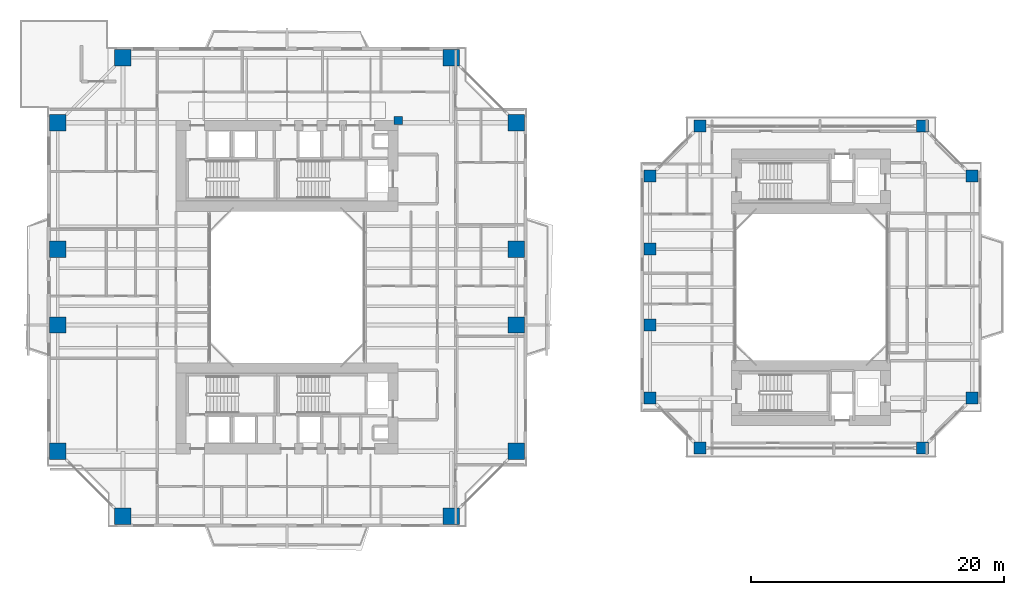
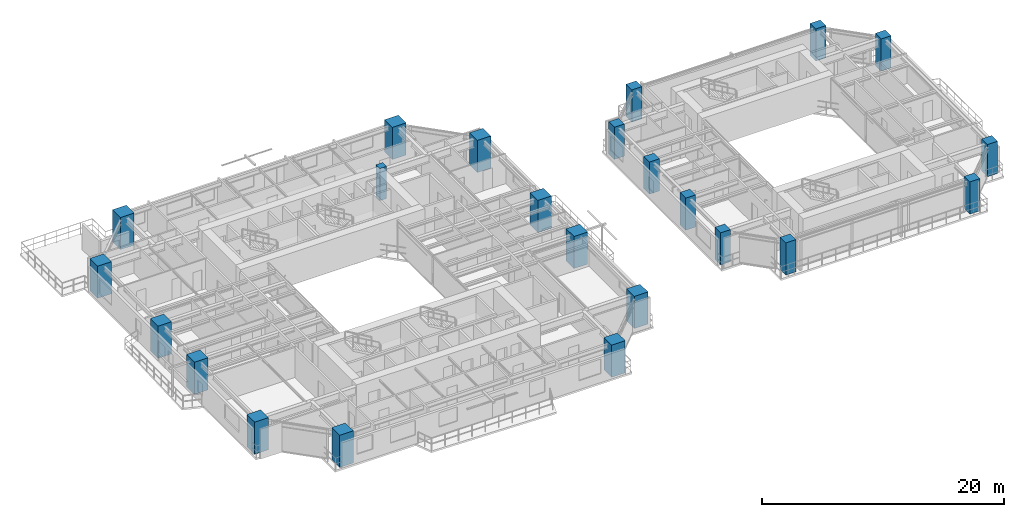
# One storey, part 1 of 24: 23 columns.
"""IFC4 building model written with IfcOpenShell, lengths in metres."""

from ifc_helpers import new_model, si_unit, direction, frame, origin, origin_2d, place, context, subcontext, project, spatial, rectangle, extrude, source, transform, mapped, material, material_profile, profile_set, type_object, element, save


model = new_model("IFC4")

# Units and contexts
model_context = context("Model", 3, precision=1e-05, world=origin(), true_north=direction((0.0, 1.0)))
body_context = subcontext(model_context, "Body", "Model", "MODEL_VIEW")
ifc_project = project(units=[si_unit("LENGTHUNIT", "METRE"), si_unit("AREAUNIT", "SQUARE_METRE"), si_unit("VOLUMEUNIT", "CUBIC_METRE"), si_unit("PLANEANGLEUNIT", "RADIAN"), si_unit("MASSUNIT", "GRAM", prefix="KILO"), si_unit("THERMODYNAMICTEMPERATUREUNIT", "KELVIN"), si_unit("POWERUNIT", "WATT")], contexts=[model_context])

# Site, building, storey
site_placement = place(None, origin())
site = spatial("IfcSite", under=ifc_project, at=site_placement, CompositionType="ELEMENT")
building_placement = place(site_placement, origin())
building = spatial("IfcBuilding", under=site, at=building_placement, Name="Qiaomeng Ring Towers", CompositionType="ELEMENT")
storey_placement = place(building_placement, frame((0.0, 0.0, 42.5)))
storey = spatial("IfcBuildingStorey", under=building, at=storey_placement, Name="L11", CompositionType="ELEMENT", Elevation=42.5)

# Columns
ifc_material_1 = material(Name="Concrete C50", Category="concrete")
ifc_material_profile_1 = material_profile(ifc_material_1, rectangle(XDim=0.64990234375, YDim=0.64990234375, at=origin_2d()), Name="RC COL 650x650")
ifc_profile_set_1 = profile_set([ifc_material_profile_1], Name="Concrete C50")
column_type_1 = type_object("IfcColumnType", Name="STR-PIL-650", PredefinedType="PILASTER", material=ifc_profile_set_1)
shared_shape_1 = source(origin(), body_context, "Body", "SweptSolid", [
    extrude(rectangle(XDim=0.64990234375, YDim=0.64990234375, at=origin_2d()), origin(), (0.0, 0.0, 1.0), 3.25),
])
column_placement = place(storey_placement, frame((27.800048828125, 36.199951171875, 0.0), z_axis=(0.0, 0.0, 1.0), x_axis=(1.0, 0.0, 0.0)))
element("IfcColumn", 1, at=column_placement, inside=storey, type_object=column_type_1, Name="L11 column STR-PIL-L11-N", PredefinedType="PILASTER", context=body_context, shape_type="MappedRepresentation", body=[
    mapped(shared_shape_1, transform((0.0, 0.0, 0.0), x_axis=(1.0, 0.0, 0.0), y_axis=(0.0, 1.0, 0.0), z_axis=(0.0, 0.0, 1.0), scale=1.0)),
])
ifc_material_2 = material(Name="Concrete C60", Category="concrete")
ifc_material_profile_2 = material_profile(ifc_material_2, rectangle(XDim=1.300048828125, YDim=1.300048828125, at=origin_2d()), Name="RC COL 1300x1300")
ifc_profile_set_2 = profile_set([ifc_material_profile_2], Name="Concrete C60")
column_type_2 = type_object("IfcColumnType", Name="STR-COL-1300", PredefinedType="COLUMN", material=ifc_profile_set_2)
shared_shape_2 = source(origin(), body_context, "Body", "SweptSolid", [
    extrude(rectangle(XDim=1.300048828125, YDim=1.300048828125, at=origin_2d()), origin(), (0.0, 0.0, 1.0), 3.25),
])
for number, where, z_axis, x_axis, name in (
    (2, (6.0, 4.85009765625, 0.0), (0.0, 0.0, 1.0), (1.0, 0.0, 0.0), "L11 column STR-COL-L11-T1-S1"),
    (3, (32.0, 4.85009765625, 0.0), (0.0, 0.0, 1.0), (1.0, 0.0, 0.0), "L11 column STR-COL-L11-T1-S2"),
    (4, (37.14990234375, 10.0, 0.0), (0.0, 0.0, 1.0), (1.0, 0.0, 0.0), "L11 column STR-COL-L11-T1-E1"),
    (5, (37.14990234375, 20.0, 0.0), (0.0, 0.0, 1.0), (1.0, 0.0, 0.0), "L11 column STR-COL-L11-T1-E2"),
    (6, (37.14990234375, 26.0, 0.0), (0.0, 0.0, 1.0), (1.0, 0.0, 0.0), "L11 column STR-COL-L11-T1-E3"),
    (7, (37.14990234375, 36.0, 0.0), (0.0, 0.0, 1.0), (1.0, 0.0, 0.0), "L11 column STR-COL-L11-T1-E4"),
    (8, (32.0, 41.14990234375, 0.0), (0.0, 0.0, 1.0), (1.0, 0.0, 0.0), "L11 column STR-COL-L11-T1-N2"),
    (9, (6.0, 41.14990234375, 0.0), (0.0, 0.0, 1.0), (1.0, 0.0, 0.0), "L11 column STR-COL-L11-T1-N1"),
    (10, (0.85009765625, 36.0, 0.0), (0.0, 0.0, 1.0), (1.0, 0.0, 0.0), "L11 column STR-COL-L11-T1-W4"),
    (11, (0.85009765625, 26.0, 0.0), (0.0, 0.0, 1.0), (1.0, 0.0, 0.0), "L11 column STR-COL-L11-T1-W3"),
    (12, (0.85009765625, 20.0, 0.0), (0.0, 0.0, 1.0), (1.0, 0.0, 0.0), "L11 column STR-COL-L11-T1-W2"),
    (13, (0.85009765625, 10.0, 0.0), (0.0, 0.0, 1.0), (1.0, 0.0, 0.0), "L11 column STR-COL-L11-T1-W1"),
):
    element("IfcColumn", number, at=place(storey_placement, frame(where, z_axis=z_axis, x_axis=x_axis)), inside=storey, type_object=column_type_2, Name=name, PredefinedType="COLUMN", context=body_context, shape_type="MappedRepresentation", body=[
        mapped(shared_shape_2, transform((0.0, 0.0, 0.0), x_axis=(1.0, 0.0, 0.0), y_axis=(0.0, 1.0, 0.0), z_axis=(0.0, 0.0, 1.0), scale=1.0)),
    ])
ifc_material_profile_3 = material_profile(ifc_material_2, rectangle(XDim=0.949951171875, YDim=0.949951171875, at=origin_2d()), Name="RC COL 950x950")
ifc_profile_set_3 = profile_set([ifc_material_profile_3], Name="Concrete C60")
column_type_3 = type_object("IfcColumnType", Name="STR-COL-950-C60", PredefinedType="COLUMN", material=ifc_profile_set_3)
shared_shape_3 = source(origin(), body_context, "Body", "SweptSolid", [
    extrude(rectangle(XDim=0.949951171875, YDim=0.949951171875, at=origin_2d()), origin(), (0.0, 0.0, 1.0), 3.25),
])
for number, where, z_axis, x_axis, name in (
    (14, (51.699951171875, 10.25, 0.0), (0.0, 0.0, 1.0), (1.0, 0.0, 0.0), "L11 column STR-COL-L11-T2-S1"),
    (15, (69.300048828125, 10.25, 0.0), (0.0, 0.0, 1.0), (1.0, 0.0, 0.0), "L11 column STR-COL-L11-T2-S2"),
    (16, (73.25, 14.199951171875, 0.0), (0.0, 0.0, 1.0), (1.0, 0.0, 0.0), "L11 column STR-COL-L11-T2-E1"),
    (17, (73.25, 31.800048828125, 0.0), (0.0, 0.0, 1.0), (1.0, 0.0, 0.0), "L11 column STR-COL-L11-T2-E2"),
    (18, (69.300048828125, 35.75, 0.0), (0.0, 0.0, 1.0), (1.0, 0.0, 0.0), "L11 column STR-COL-L11-T2-N2"),
    (19, (51.699951171875, 35.75, 0.0), (0.0, 0.0, 1.0), (1.0, 0.0, 0.0), "L11 column STR-COL-L11-T2-N1"),
    (20, (47.75, 14.199951171875, 0.0), (0.0, 0.0, 1.0), (1.0, 0.0, 0.0), "L11 column STR-COL-L11-T2-W1"),
    (21, (47.75, 20.0, 0.0), (0.0, 0.0, 1.0), (1.0, 0.0, 0.0), "L11 column STR-COL-L11-T2-W2"),
    (22, (47.75, 26.0, 0.0), (0.0, 0.0, 1.0), (1.0, 0.0, 0.0), "L11 column STR-COL-L11-T2-W3"),
    (23, (47.75, 31.800048828125, 0.0), (0.0, 0.0, 1.0), (1.0, 0.0, 0.0), "L11 column STR-COL-L11-T2-W4"),
):
    element("IfcColumn", number, at=place(storey_placement, frame(where, z_axis=z_axis, x_axis=x_axis)), inside=storey, type_object=column_type_3, Name=name, PredefinedType="COLUMN", context=body_context, shape_type="MappedRepresentation", body=[
        mapped(shared_shape_3, transform((0.0, 0.0, 0.0), x_axis=(1.0, 0.0, 0.0), y_axis=(0.0, 1.0, 0.0), z_axis=(0.0, 0.0, 1.0), scale=1.0)),
    ])

save(model, "model.ifc")
